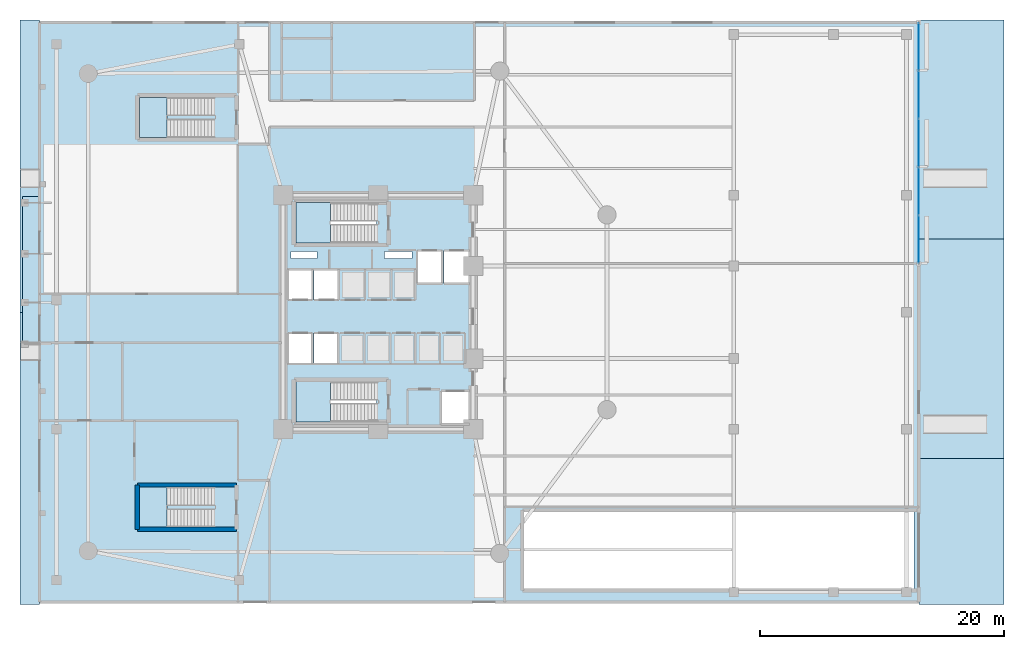
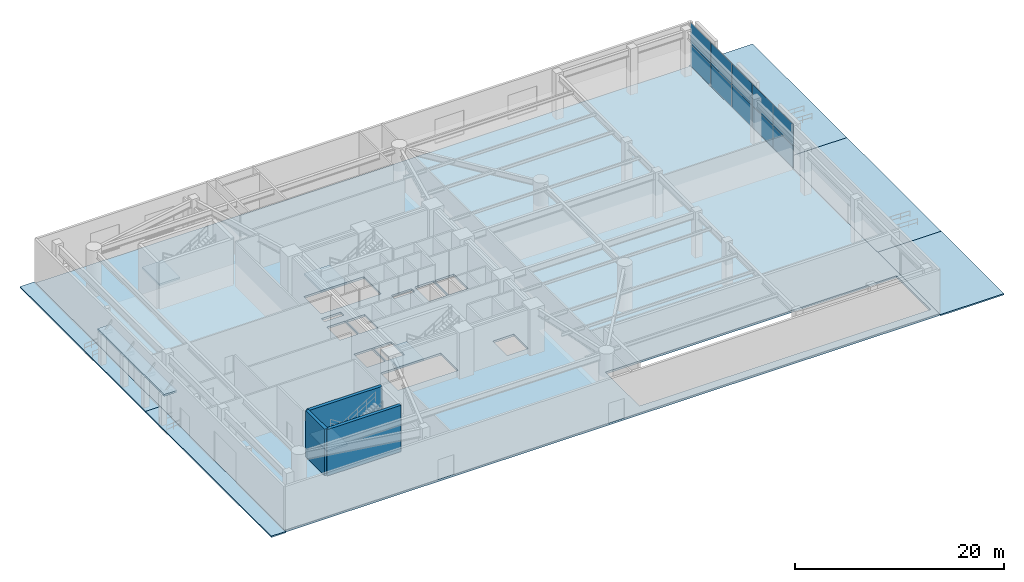
# One storey, part 5 of 16: 11 slabs, 10 plates, 3 walls, 5 elements without a shape of their own.
"""IFC4 building model written with IfcOpenShell, lengths in metres."""

from ifc_helpers import new_model, si_unit, direction, frame, frame_2d, origin, origin_2d, place, context, subcontext, project, spatial, polyline, rectangle, outline, extrude, material, layer, layer_set, type_object, element, aggregate, save


model = new_model("IFC4")

# Units and contexts
model_context = context("Model", 3, precision=1e-05, world=origin(), true_north=direction((0.0, 1.0)))
body_context = subcontext(model_context, "Body", "Model", "MODEL_VIEW")
ifc_project = project(units=[si_unit("LENGTHUNIT", "METRE"), si_unit("AREAUNIT", "SQUARE_METRE"), si_unit("VOLUMEUNIT", "CUBIC_METRE"), si_unit("PLANEANGLEUNIT", "RADIAN"), si_unit("MASSUNIT", "GRAM", prefix="KILO")], contexts=[model_context])

# Site, building, storey
site_placement = place(None, origin())
site = spatial("IfcSite", under=ifc_project, at=site_placement, CompositionType="ELEMENT")
building_placement = place(site_placement, origin())
building = spatial("IfcBuilding", under=site, at=building_placement, Name="An Khanh Terracotta Commons", CompositionType="ELEMENT")
storey_placement = place(building_placement, origin())
storey = spatial("IfcBuildingStorey", under=building, at=storey_placement, Name="L01", CompositionType="ELEMENT", Elevation=0.0)

# Curtain wall, plates
ifc_material_1 = material(Name="Anodised Aluminium 6063-T6", Category="aluminium")
ifc_layer_1 = layer(ifc_material_1, 0.179931640625, Name="Anodised Aluminium 6063-T6")
ifc_layer_set_1 = layer_set([ifc_layer_1], Name="Anodised Aluminium 6063-T6")
curtain_wall_type = type_object("IfcCurtainWallType", Name="CW-SYS-01", PredefinedType="USERDEFINED", material=ifc_layer_set_1)
curtain_wall_placement = place(storey_placement, origin())
curtain_wall = element("IfcCurtainWall", 1, at=curtain_wall_placement, inside=storey, type_object=curtain_wall_type, Name="L01 CW-01 Unitised Curtain Wall CW-L01-EAST", ObjectType="UNITISED CURTAIN WALL", PredefinedType="USERDEFINED")
ifc_material_2 = material(Name="Double Low-E Podium Glazing", Category="glass")
ifc_layer_2 = layer(ifc_material_2, 0.031982421875, Name="Double Low-E Podium Glazing")
ifc_layer_set_2 = layer_set([ifc_layer_2], Name="Double Low-E Podium Glazing")
plate_type = type_object("IfcPlateType", Name="CWP-IGU-32", PredefinedType="CURTAIN_PANEL", material=ifc_layer_set_2)
plate_1_placement = place(storey_placement, frame((73.800048828125, 29.996337890625, 0.06005859375), z_axis=(0.0, 0.0, 1.0), x_axis=(0.0, 1.0, 0.0)))
plate_1 = element("IfcPlate", 2, at=plate_1_placement, type_object=plate_type, Name="CW-01 panel 1.1", PredefinedType="CURTAIN_PANEL", context=body_context, shape_type="SweptSolid", body=[
    extrude(rectangle(XDim=3.862548828125, YDim=0.031982421875, at=origin_2d()), origin(), (0.0, 0.0, 1.0), 2.5),
])
plate_2_placement = place(storey_placement, frame((73.800048828125, 29.996337890625, 2.6201171875), z_axis=(0.0, 0.0, 1.0), x_axis=(0.0, 1.0, 0.0)))
plate_2 = element("IfcPlate", 3, at=plate_2_placement, type_object=plate_type, Name="CW-01 panel 1.2", PredefinedType="CURTAIN_PANEL", context=body_context, shape_type="SweptSolid", body=[
    extrude(rectangle(XDim=3.862548828125, YDim=0.031982421875, at=origin_2d()), origin(), (0.0, 0.0, 1.0), 2.5),
])
plate_3_placement = place(storey_placement, frame((73.800048828125, 33.93994140625, 0.06005859375), z_axis=(0.0, 0.0, 1.0), x_axis=(0.0, 1.0, 0.0)))
plate_3 = element("IfcPlate", 4, at=plate_3_placement, type_object=plate_type, Name="CW-01 panel 2.1", PredefinedType="CURTAIN_PANEL", context=body_context, shape_type="SweptSolid", body=[
    extrude(rectangle(XDim=3.89501953125, YDim=0.031982421875, at=origin_2d()), origin(), (0.0, 0.0, 1.0), 2.5),
])
plate_4_placement = place(storey_placement, frame((73.800048828125, 33.93994140625, 2.6201171875), z_axis=(0.0, 0.0, 1.0), x_axis=(0.0, 1.0, 0.0)))
plate_4 = element("IfcPlate", 5, at=plate_4_placement, type_object=plate_type, Name="CW-01 panel 2.2", PredefinedType="CURTAIN_PANEL", context=body_context, shape_type="SweptSolid", body=[
    extrude(rectangle(XDim=3.89501953125, YDim=0.031982421875, at=origin_2d()), origin(), (0.0, 0.0, 1.0), 2.5),
])
plate_5_placement = place(storey_placement, frame((73.800048828125, 37.89990234375, 0.06005859375), z_axis=(0.0, 0.0, 1.0), x_axis=(0.0, 1.0, 0.0)))
plate_5 = element("IfcPlate", 6, at=plate_5_placement, type_object=plate_type, Name="CW-01 panel 3.1", PredefinedType="CURTAIN_PANEL", context=body_context, shape_type="SweptSolid", body=[
    extrude(rectangle(XDim=3.89501953125, YDim=0.031982421875, at=origin_2d()), origin(), (0.0, 0.0, 1.0), 2.5),
])
plate_6_placement = place(storey_placement, frame((73.800048828125, 37.89990234375, 2.6201171875), z_axis=(0.0, 0.0, 1.0), x_axis=(0.0, 1.0, 0.0)))
plate_6 = element("IfcPlate", 7, at=plate_6_placement, type_object=plate_type, Name="CW-01 panel 3.2", PredefinedType="CURTAIN_PANEL", context=body_context, shape_type="SweptSolid", body=[
    extrude(rectangle(XDim=3.89501953125, YDim=0.031982421875, at=origin_2d()), origin(), (0.0, 0.0, 1.0), 2.5),
])
plate_7_placement = place(storey_placement, frame((73.800048828125, 41.860107421875, 0.06005859375), z_axis=(0.0, 0.0, 1.0), x_axis=(0.0, 1.0, 0.0)))
plate_7 = element("IfcPlate", 8, at=plate_7_placement, type_object=plate_type, Name="CW-01 panel 4.1", PredefinedType="CURTAIN_PANEL", context=body_context, shape_type="SweptSolid", body=[
    extrude(rectangle(XDim=3.89501953125, YDim=0.031982421875, at=origin_2d()), origin(), (0.0, 0.0, 1.0), 2.5),
])
plate_8_placement = place(storey_placement, frame((73.800048828125, 41.860107421875, 2.6201171875), z_axis=(0.0, 0.0, 1.0), x_axis=(0.0, 1.0, 0.0)))
plate_8 = element("IfcPlate", 9, at=plate_8_placement, type_object=plate_type, Name="CW-01 panel 4.2", PredefinedType="CURTAIN_PANEL", context=body_context, shape_type="SweptSolid", body=[
    extrude(rectangle(XDim=3.89501953125, YDim=0.031982421875, at=origin_2d()), origin(), (0.0, 0.0, 1.0), 2.5),
])
plate_9_placement = place(storey_placement, frame((73.800048828125, 45.8037109375, 0.06005859375), z_axis=(0.0, 0.0, 1.0), x_axis=(0.0, 1.0, 0.0)))
plate_9 = element("IfcPlate", 10, at=plate_9_placement, type_object=plate_type, Name="CW-01 panel 5.1", PredefinedType="CURTAIN_PANEL", context=body_context, shape_type="SweptSolid", body=[
    extrude(rectangle(XDim=3.862548828125, YDim=0.031982421875, at=origin_2d()), origin(), (0.0, 0.0, 1.0), 2.5),
])
plate_10_placement = place(storey_placement, frame((73.800048828125, 45.8037109375, 2.6201171875), z_axis=(0.0, 0.0, 1.0), x_axis=(0.0, 1.0, 0.0)))
plate_10 = element("IfcPlate", 11, at=plate_10_placement, type_object=plate_type, Name="CW-01 panel 5.2", PredefinedType="CURTAIN_PANEL", context=body_context, shape_type="SweptSolid", body=[
    extrude(rectangle(XDim=3.862548828125, YDim=0.031982421875, at=origin_2d()), origin(), (0.0, 0.0, 1.0), 2.5),
])
aggregate(curtain_wall, [plate_1, plate_2, plate_3, plate_4, plate_5, plate_6, plate_7, plate_8, plate_9, plate_10])

# Slabs
ifc_material_3 = material(Name="Concrete C40/50", Category="concrete")
ifc_layer_3 = layer(ifc_material_3, 0.22998046875, Name="Concrete C40/50")
ifc_layer_set_3 = layer_set([ifc_layer_3], Name="Concrete C40/50")
slab_type_1 = type_object("IfcSlabType", Name="SLAB-BOXROOF-230", PredefinedType="ROOF", material=ifc_layer_set_3)
slab_1_placement = place(storey_placement, frame((0.0, 0.0, 3.60009765625)))
element("IfcSlab", 12, at=slab_1_placement, inside=storey, type_object=slab_type_1, Name="L01 West Boulevard Entrance Canopy Slab", PredefinedType="ROOF", context=body_context, shape_type="SweptSolid", body=[
    extrude(outline(polyline([(0.199951171875, 20.800048828125), (1.60009765625, 20.800048828125), (1.60009765625, 33.5), (0.199951171875, 33.5), (0.199951171875, 20.800048828125)])), origin(), (0.0, 0.0, 1.0), 0.22998046875),
])
ifc_layer_4 = layer(ifc_material_3, 0.280029296875, Name="Concrete C40/50")
ifc_layer_set_4 = layer_set([ifc_layer_4], Name="Concrete C40/50")
slab_type_2 = type_object("IfcSlabType", Name="SLAB-L01-280", PredefinedType="FLOOR", material=ifc_layer_set_4)
slab_2_placement = place(storey_placement, frame((0.0, 0.0, -0.239990234375)))
element("IfcSlab", 13, at=slab_2_placement, inside=storey, type_object=slab_type_2, Name="L01 Structural Floor Slab", PredefinedType="FLOOR", context=body_context, shape_type="SweptSolid", body=[
    extrude(outline(polyline([(1.60009765625, 0.199951171875), (73.800048828125, 0.199951171875), (73.800048828125, 47.800048828125), (1.60009765625, 47.800048828125), (1.60009765625, 0.199951171875)]), holes=[polyline([(22.64990234375, 29.699951171875), (29.27001953125, 29.699951171875), (29.27001953125, 33.0), (22.64990234375, 33.0), (22.64990234375, 29.699951171875)]), polyline([(22.64990234375, 15.0), (29.27001953125, 15.0), (29.27001953125, 18.300048828125), (22.64990234375, 18.300048828125), (22.64990234375, 15.0)]), polyline([(32.60009765625, 26.35009765625), (34.679931640625, 26.35009765625), (34.679931640625, 29.080078125), (32.60009765625, 29.080078125), (32.60009765625, 26.35009765625)]), polyline([(34.820068359375, 26.35009765625), (36.89990234375, 26.35009765625), (36.89990234375, 29.080078125), (34.820068359375, 29.080078125), (34.820068359375, 26.35009765625)]), polyline([(34.550048828125, 14.800048828125), (36.89990234375, 14.800048828125), (36.89990234375, 17.550048828125), (34.550048828125, 17.550048828125), (34.550048828125, 14.800048828125)]), polyline([(22.0, 25.0), (24.02001953125, 25.0), (24.02001953125, 27.5), (22.0, 27.5), (22.0, 25.0)]), polyline([(24.159912109375, 25.0), (26.179931640625, 25.0), (26.179931640625, 27.5), (24.159912109375, 27.5), (24.159912109375, 25.0)]), polyline([(22.0, 19.800048828125), (24.0, 19.800048828125), (24.0, 22.300048828125), (22.0, 22.300048828125), (22.0, 19.800048828125)]), polyline([(24.139892578125, 19.800048828125), (26.139892578125, 19.800048828125), (26.139892578125, 22.300048828125), (24.139892578125, 22.300048828125), (24.139892578125, 19.800048828125)]), polyline([(22.25, 28.419921875), (24.39990234375, 28.419921875), (24.39990234375, 28.97998046875), (22.25, 28.97998046875), (22.25, 28.419921875)]), polyline([(29.949951171875, 28.419921875), (32.199951171875, 28.419921875), (32.199951171875, 28.97998046875), (29.949951171875, 28.97998046875), (29.949951171875, 28.419921875)]), polyline([(41.300048828125, 1.199951171875), (73.39990234375, 1.199951171875), (73.39990234375, 7.699951171875), (41.300048828125, 7.699951171875), (41.300048828125, 1.199951171875)])]), origin(), (0.0, 0.0, 1.0), 0.239990234375),
])

# Stair, slab
ifc_material_4 = material(Name="Precast concrete C40/50", Category="concrete")
stair_type_1 = type_object("IfcStairType", Name="STAIR-CORE-1550", PredefinedType="HALF_TURN_STAIR", material=ifc_material_4)
stair_1_placement = place(storey_placement, origin())
stair_1 = element("IfcStair", 14, at=stair_1_placement, inside=storey, type_object=stair_type_1, Name="L01 Core Smokeproof Exit Stair ST-01", PredefinedType="HALF_TURN_STAIR")
ifc_layer_5 = layer(ifc_material_3, 0.18994140625, Name="Concrete C40/50")
ifc_layer_set_5 = layer_set([ifc_layer_5], Name="Concrete C40/50")
slab_type_3 = type_object("IfcSlabType", Name="SLAB-LANDING-190", PredefinedType="LANDING", material=ifc_layer_set_5)
slab_3_placement = place(storey_placement, frame((0.0, 0.0, 2.5)))
slab_3 = element("IfcSlab", 15, at=slab_3_placement, type_object=slab_type_3, Name="ST-01 landing 1", PredefinedType="LANDING", context=body_context, shape_type="SweptSolid", body=[
    extrude(outline(polyline([(25.489990234375, 33.0), (22.64990234375, 33.0), (22.64990234375, 29.699951171875), (25.489990234375, 29.699951171875), (25.489990234375, 33.0)])), origin(), (0.0, 0.0, 1.0), 0.199951171875),
])
aggregate(stair_1, [slab_3])

stair_2_placement = place(storey_placement, origin())
stair_2 = element("IfcStair", 16, at=stair_2_placement, inside=storey, type_object=stair_type_1, Name="L01 Core Smokeproof Exit Stair ST-02", PredefinedType="HALF_TURN_STAIR")
slab_4_placement = place(storey_placement, frame((0.0, 0.0, 2.5)))
slab_4 = element("IfcSlab", 17, at=slab_4_placement, type_object=slab_type_3, Name="ST-02 landing 1", PredefinedType="LANDING", context=body_context, shape_type="SweptSolid", body=[
    extrude(outline(polyline([(25.489990234375, 18.300048828125), (22.64990234375, 18.300048828125), (22.64990234375, 15.0), (25.489990234375, 15.0), (25.489990234375, 18.300048828125)])), origin(), (0.0, 0.0, 1.0), 0.199951171875),
])
aggregate(stair_2, [slab_4])

stair_type_2 = type_object("IfcStairType", Name="STAIR-POD-1550", PredefinedType="HALF_TURN_STAIR", material=ifc_material_3)
stair_3_placement = place(storey_placement, origin())
stair_3 = element("IfcStair", 18, at=stair_3_placement, inside=storey, type_object=stair_type_2, Name="L01 Podium Commons Exit Stair ST-P1", PredefinedType="HALF_TURN_STAIR")
slab_5_placement = place(storey_placement, frame((0.0, 0.0, 2.5)))
slab_5 = element("IfcSlab", 19, at=slab_5_placement, type_object=slab_type_3, Name="ST-P1 landing 1", PredefinedType="LANDING", context=body_context, shape_type="SweptSolid", body=[
    extrude(outline(polyline([(12.080078125, 9.64990234375), (9.800048828125, 9.64990234375), (9.800048828125, 6.35009765625), (12.080078125, 6.35009765625), (12.080078125, 9.64990234375)])), origin(), (0.0, 0.0, 1.0), 0.199951171875),
])
aggregate(stair_3, [slab_5])

stair_4_placement = place(storey_placement, origin())
stair_4 = element("IfcStair", 20, at=stair_4_placement, inside=storey, type_object=stair_type_2, Name="L01 Podium Commons Exit Stair ST-P2", PredefinedType="HALF_TURN_STAIR")
slab_6_placement = place(storey_placement, frame((0.0, 0.0, 2.5)))
slab_6 = element("IfcSlab", 21, at=slab_6_placement, type_object=slab_type_3, Name="ST-P2 landing 1", PredefinedType="LANDING", context=body_context, shape_type="SweptSolid", body=[
    extrude(outline(polyline([(12.080078125, 41.64990234375), (9.800048828125, 41.64990234375), (9.800048828125, 38.35009765625), (12.080078125, 38.35009765625), (12.080078125, 41.64990234375)])), origin(), (0.0, 0.0, 1.0), 0.199951171875),
])
aggregate(stair_4, [slab_6])

# Slabs
ifc_layer_6 = layer(ifc_material_3, 0.159912109375, Name="Concrete C40/50")
ifc_layer_set_6 = layer_set([ifc_layer_6], Name="Concrete C40/50")
slab_type_4 = type_object("IfcSlabType", Name="SLAB-PAVING-160", PredefinedType="USERDEFINED", material=ifc_layer_set_6)
slab_7_placement = place(storey_placement, frame((0.0, 0.0, -0.159912109375)))
element("IfcSlab", 22, at=slab_7_placement, inside=storey, type_object=slab_type_4, Name="Car Park Ramp Driveway Apron Paving", ObjectType="PAVING", PredefinedType="USERDEFINED", context=body_context, shape_type="SweptSolid", body=[
    extrude(outline(polyline([(73.800048828125, 0.0), (80.800048828125, 0.0), (80.800048828125, 12.0), (73.800048828125, 12.0), (73.800048828125, 0.0)])), origin(), (0.0, 0.0, 1.0), 0.159912109375),
])
slab_8_placement = place(storey_placement, frame((0.0, 0.0, -0.159912109375)))
element("IfcSlab", 23, at=slab_8_placement, inside=storey, type_object=slab_type_4, Name="East Riverfront Plaza South Paving", ObjectType="PAVING", PredefinedType="USERDEFINED", context=body_context, shape_type="SweptSolid", body=[
    extrude(outline(polyline([(73.800048828125, 12.0), (80.800048828125, 12.0), (80.800048828125, 30.0), (73.800048828125, 30.0), (73.800048828125, 12.0)])), origin(), (0.0, 0.0, 1.0), 0.159912109375),
])
slab_9_placement = place(storey_placement, frame((0.0, 0.0, -0.159912109375)))
element("IfcSlab", 24, at=slab_9_placement, inside=storey, type_object=slab_type_4, Name="East Riverfront Plaza North Paving", ObjectType="PAVING", PredefinedType="USERDEFINED", context=body_context, shape_type="SweptSolid", body=[
    extrude(outline(polyline([(73.800048828125, 30.0), (80.800048828125, 30.0), (80.800048828125, 48.0), (73.800048828125, 48.0), (73.800048828125, 30.0)])), origin(), (0.0, 0.0, 1.0), 0.159912109375),
])
slab_10_placement = place(storey_placement, frame((0.0, 0.0, -0.159912109375)))
element("IfcSlab", 25, at=slab_10_placement, inside=storey, type_object=slab_type_4, Name="West Boulevard Fire Hardstanding South", ObjectType="PAVING", PredefinedType="USERDEFINED", context=body_context, shape_type="SweptSolid", body=[
    extrude(outline(polyline([(0.0, 0.0), (1.60009765625, 0.0), (1.60009765625, 24.0), (0.0, 24.0), (0.0, 0.0)])), origin(), (0.0, 0.0, 1.0), 0.159912109375),
])
slab_11_placement = place(storey_placement, frame((0.0, 0.0, -0.159912109375)))
element("IfcSlab", 26, at=slab_11_placement, inside=storey, type_object=slab_type_4, Name="West Boulevard Entrance Forecourt North", ObjectType="PAVING", PredefinedType="USERDEFINED", context=body_context, shape_type="SweptSolid", body=[
    extrude(outline(polyline([(0.0, 24.0), (1.60009765625, 24.0), (1.60009765625, 48.0), (0.0, 48.0), (0.0, 24.0)])), origin(), (0.0, 0.0, 1.0), 0.159912109375),
])

# Walls
ifc_material_5 = material(Name="Concrete C50/60", Category="concrete")
ifc_layer_7 = layer(ifc_material_5, 0.35009765625, Name="Concrete C50/60")
ifc_layer_set_7 = layer_set([ifc_layer_7], Name="Concrete C50/60")
wall_type = type_object("IfcWallType", Name="WALL-SHAFT-350", PredefinedType="SOLIDWALL", material=ifc_layer_set_7)
wall_placement = place(storey_placement, frame((9.6298828125, 6.179931640625, 0.0), z_axis=(0.0, 0.0, 1.0), x_axis=(0.0, 1.0, 0.0)))
element("IfcWall", 27, at=wall_placement, inside=storey, type_object=wall_type, Name="L01 Podium Stair ST-P1 W Wall", PredefinedType="SOLIDWALL", context=body_context, shape_type="SweptSolid", body=[
    extrude(rectangle(XDim=3.64013671875, YDim=0.35009765625, at=frame_2d((1.820068359375, 0.0))), origin(), (0.0, 0.0, 1.0), 5.39990234375),
])
for number, where, z_axis, x_axis, name in (
    (28, (9.6298828125, 9.820068359375, 0.0), (0.0, 0.0, 1.0), (1.0, 0.0, 0.0), "L01 Podium Stair ST-P1 N Wall"),
    (29, (17.77001953125, 6.179931640625, 0.0), (0.0, 0.0, 1.0), (-1.0, 0.0, 0.0), "L01 Podium Stair ST-P1 S Wall"),
):
    element("IfcWall", number, at=place(storey_placement, frame(where, z_axis=z_axis, x_axis=x_axis)), inside=storey, type_object=wall_type, Name=name, PredefinedType="SOLIDWALL", context=body_context, shape_type="SweptSolid", body=[
        extrude(rectangle(XDim=8.14013671875, YDim=0.35009765625, at=frame_2d((4.070068359375, 0.0))), origin(), (0.0, 0.0, 1.0), 5.39990234375),
    ])

save(model, "model.ifc")
